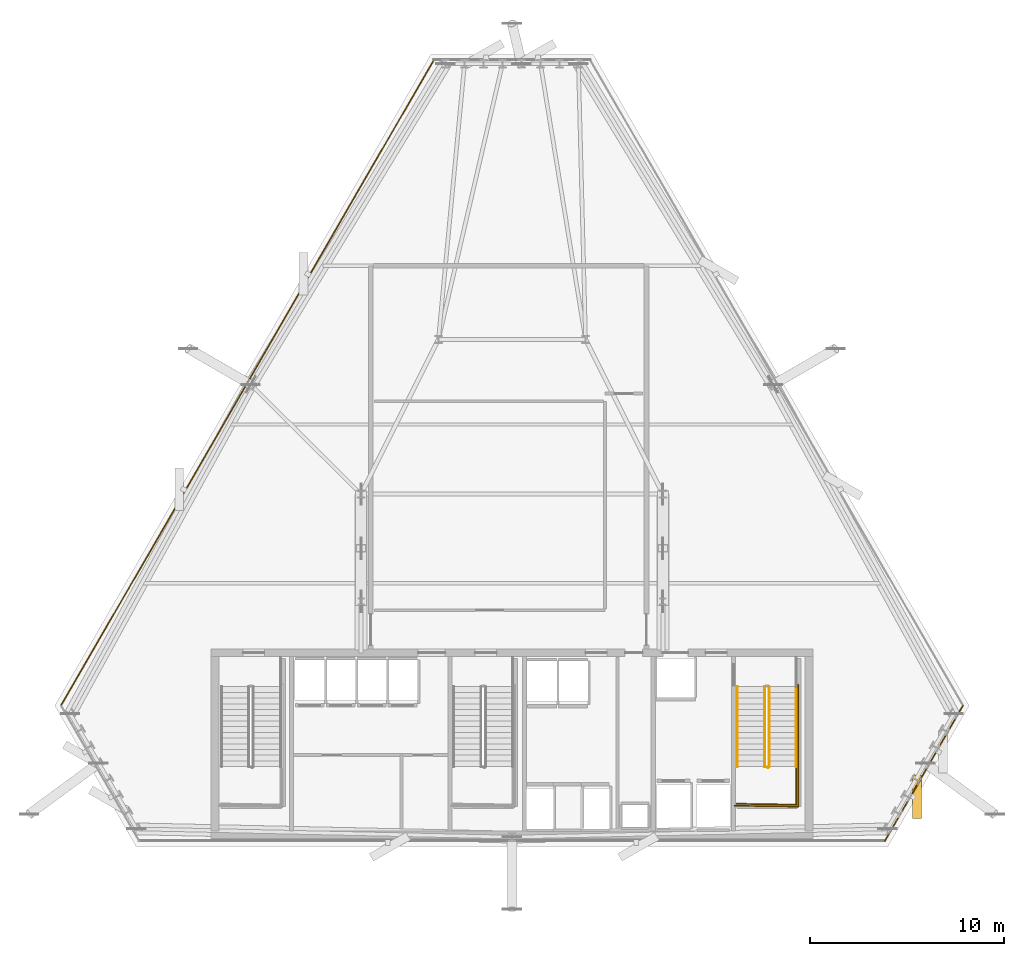
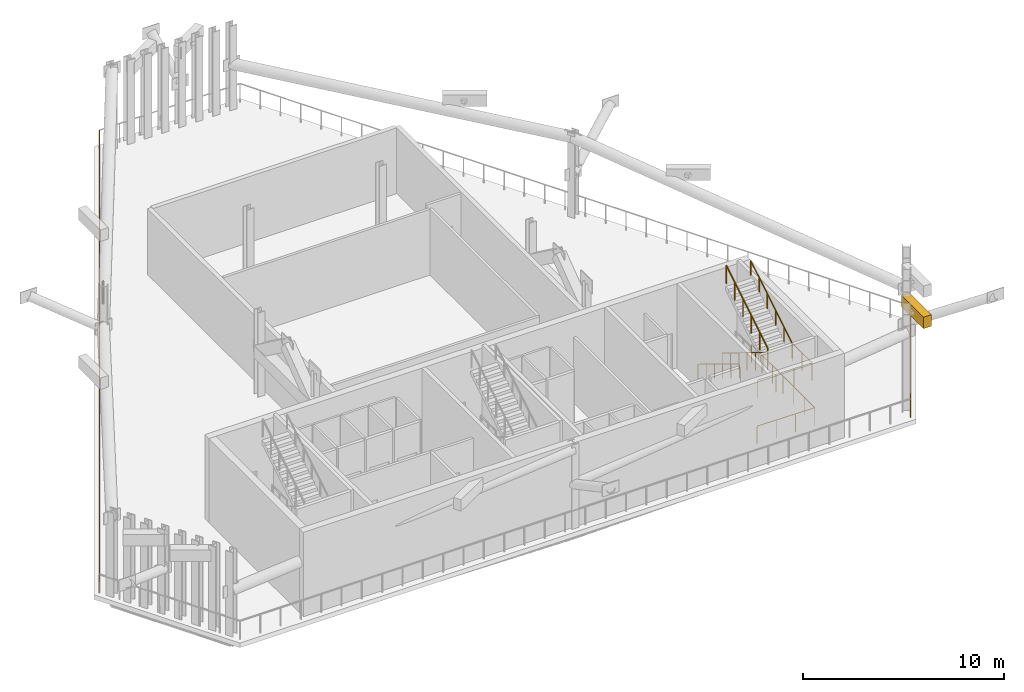
# One storey, part 9 of 11: 8 railings, 1 shading device.
"""IFC4 building model written with IfcOpenShell, lengths in metres."""

from ifc_helpers import new_model, si_unit, direction, frame, origin, origin_2d, place, context, subcontext, project, spatial, rectangle, circle, extrude, material, layer, layer_set, type_object, element, save


model = new_model("IFC4")

# Units and contexts
model_context = context("Model", 3, precision=1e-05, world=origin(), true_north=direction((0.0, 1.0)))
body_context = subcontext(model_context, "Body", "Model", "MODEL_VIEW")
ifc_project = project(units=[si_unit("LENGTHUNIT", "METRE"), si_unit("AREAUNIT", "SQUARE_METRE"), si_unit("VOLUMEUNIT", "CUBIC_METRE"), si_unit("PLANEANGLEUNIT", "RADIAN"), si_unit("MASSUNIT", "GRAM", prefix="KILO")], contexts=[model_context])

# Site, building, storey
site_placement = place(None, origin())
site = spatial("IfcSite", under=ifc_project, at=site_placement, CompositionType="ELEMENT")
building_placement = place(site_placement, origin())
building = spatial("IfcBuilding", under=site, at=building_placement, Name="Ndaravel Arena Tower", CompositionType="ELEMENT")
storey_placement = place(building_placement, frame((0.0, 0.0, 203.0)))
storey = spatial("IfcBuildingStorey", under=building, at=storey_placement, Name="L49", CompositionType="ELEMENT", Elevation=203.0)

# Railings
ifc_material_1 = material(Name="Steel S355", Category="steel")
ifc_layer_1 = layer(ifc_material_1, 0.06005859375)
ifc_layer_set_1 = layer_set([ifc_layer_1], Name="Steel S355")
railing_type_1 = type_object("IfcRailingType", Name="RAIL-STAIR-GD1100", PredefinedType="GUARDRAIL", material=ifc_layer_set_1)
railing_1_placement = place(storey_placement, frame((55.050048828125, 13.25, 0.179931640625)))
element("IfcRailing", 1, at=railing_1_placement, inside=storey, type_object=railing_type_1, Name="L49 ST-3 stair guard 1", PredefinedType="GUARDRAIL", context=body_context, shape_type="SweptSolid", body=[
    extrude(circle(Radius=0.02392578125, at=origin_2d()), frame((0.0, 0.0, 1.076171875), z_axis=(0.0, -0.853630913754, 0.520878357281), x_axis=(1.0, 0.0, 0.0)), (0.0, 0.0, 1.0), 4.838134765625),
    extrude(circle(Radius=0.02392578125, at=origin_2d()), frame((0.0, -4.1298828125, 3.59619140625), z_axis=(0.966993988697, -0.254799187253, 0.0), x_axis=(0.254799187253, 0.966993988697, 0.0)), (0.0, 0.0, 1.0), 0.196533203125),
    extrude(circle(Radius=0.02099609375, at=origin_2d()), origin(), (0.0, 0.0, 1.0), 1.052001953125),
    extrude(circle(Radius=0.02099609375, at=origin_2d()), frame((0.0, -0.825927734375, 0.50390625)), (0.0, 0.0, 1.0), 1.052001953125),
    extrude(circle(Radius=0.02099609375, at=origin_2d()), frame((0.0, -1.65185546875, 1.008056640625)), (0.0, 0.0, 1.0), 1.052001953125),
    extrude(circle(Radius=0.02099609375, at=origin_2d()), frame((0.0, -2.47802734375, 1.511962890625)), (0.0, 0.0, 1.0), 1.052001953125),
    extrude(circle(Radius=0.02099609375, at=origin_2d()), frame((0.0, -3.303955078125, 2.01611328125)), (0.0, 0.0, 1.0), 1.052001953125),
    extrude(circle(Radius=0.02099609375, at=origin_2d()), frame((0.0, -4.1298828125, 2.52001953125)), (0.0, 0.0, 1.0), 1.052001953125),
    extrude(circle(Radius=0.02099609375, at=origin_2d()), frame((0.18994140625, -4.179931640625, 2.52001953125)), (0.0, 0.0, 1.0), 1.052001953125),
])
railing_2_placement = place(storey_placement, frame((56.68994140625, 9.1201171875, 2.699951171875)))
element("IfcRailing", 2, at=railing_2_placement, inside=storey, type_object=railing_type_1, Name="L49 ST-3 stair guard 2", PredefinedType="GUARDRAIL", context=body_context, shape_type="SweptSolid", body=[
    extrude(circle(Radius=0.02392578125, at=origin_2d()), frame((0.0, 0.0, 1.076171875), z_axis=(0.0, -1.0, 0.0), x_axis=(1.0, 0.0, 0.0)), (0.0, 0.0, 1.0), 1.97021484375),
    extrude(circle(Radius=0.02392578125, at=origin_2d()), frame((0.0, -1.97021484375, 1.076171875), z_axis=(-0.999868840623, 0.016195726322, 0.0), x_axis=(-0.016195726322, -0.999868840623, 0.0)), (0.0, 0.0, 1.0), 3.09033203125),
    extrude(circle(Radius=0.02099609375, at=origin_2d()), origin(), (0.0, 0.0, 1.0), 1.052001953125),
    extrude(circle(Radius=0.02099609375, at=origin_2d()), frame((0.0, -0.985107421875, 0.0)), (0.0, 0.0, 1.0), 1.052001953125),
    extrude(circle(Radius=0.02099609375, at=origin_2d()), frame((0.0, -1.97021484375, 0.0)), (0.0, 0.0, 1.0), 1.052001953125),
    extrude(circle(Radius=0.02099609375, at=origin_2d()), frame((-1.030029296875, -1.95361328125, 0.0)), (0.0, 0.0, 1.0), 1.052001953125),
    extrude(circle(Radius=0.02099609375, at=origin_2d()), frame((-2.059814453125, -1.936767578125, 0.0)), (0.0, 0.0, 1.0), 1.052001953125),
    extrude(circle(Radius=0.02099609375, at=origin_2d()), frame((-3.08984375, -1.920166015625, 0.0)), (0.0, 0.0, 1.0), 1.052001953125),
])
railing_3_placement = place(storey_placement, frame((55.2900390625, 9.1201171875, 2.8798828125)))
element("IfcRailing", 3, at=railing_3_placement, inside=storey, type_object=railing_type_1, Name="L49 ST-3 stair guard 3", PredefinedType="GUARDRAIL", context=body_context, shape_type="SweptSolid", body=[
    extrude(circle(Radius=0.02392578125, at=origin_2d()), frame((0.0, 0.0, 1.076171875), z_axis=(0.0, 0.853630913754, 0.520878357281), x_axis=(-1.0, 0.0, 0.0)), (0.0, 0.0, 1.0), 4.838134765625),
    extrude(circle(Radius=0.02099609375, at=origin_2d()), origin(), (0.0, 0.0, 1.0), 1.052001953125),
    extrude(circle(Radius=0.02099609375, at=origin_2d()), frame((0.0, 0.825927734375, 0.50390625)), (0.0, 0.0, 1.0), 1.052001953125),
    extrude(circle(Radius=0.02099609375, at=origin_2d()), frame((0.0, 1.65185546875, 1.008056640625)), (0.0, 0.0, 1.0), 1.052001953125),
    extrude(circle(Radius=0.02099609375, at=origin_2d()), frame((0.0, 2.47802734375, 1.511962890625)), (0.0, 0.0, 1.0), 1.052001953125),
    extrude(circle(Radius=0.02099609375, at=origin_2d()), frame((0.0, 3.303955078125, 2.01611328125)), (0.0, 0.0, 1.0), 1.052001953125),
    extrude(circle(Radius=0.02099609375, at=origin_2d()), frame((0.0, 4.1298828125, 2.52001953125)), (0.0, 0.0, 1.0), 1.052001953125),
])
railing_4_placement = place(storey_placement, frame((56.7900390625, 13.35009765625, 0.0)))
element("IfcRailing", 4, at=railing_4_placement, inside=storey, type_object=railing_type_1, Name="L49 ST-3 stair guard 6", PredefinedType="GUARDRAIL", context=body_context, shape_type="SweptSolid", body=[
    extrude(circle(Radius=0.02392578125, at=origin_2d()), frame((0.0, 0.0, 1.076171875), z_axis=(0.0, -1.0, 0.0), x_axis=(1.0, 0.0, 0.0)), (0.0, 0.0, 1.0), 6.300048828125),
    extrude(circle(Radius=0.02392578125, at=origin_2d()), frame((0.0, -6.300048828125, 1.076171875), z_axis=(-0.99988431412, 0.015210469308, 0.0), x_axis=(-0.015210469308, -0.99988431412, 0.0)), (0.0, 0.0, 1.0), 3.29052734375),
    extrude(circle(Radius=0.02099609375, at=origin_2d()), origin(), (0.0, 0.0, 1.0), 1.052001953125),
    extrude(circle(Radius=0.02099609375, at=origin_2d()), frame((0.0, -1.050048828125, 0.0)), (0.0, 0.0, 1.0), 1.052001953125),
    extrude(circle(Radius=0.02099609375, at=origin_2d()), frame((0.0, -2.10009765625, 0.0)), (0.0, 0.0, 1.0), 1.052001953125),
    extrude(circle(Radius=0.02099609375, at=origin_2d()), frame((0.0, -3.14990234375, 0.0)), (0.0, 0.0, 1.0), 1.052001953125),
    extrude(circle(Radius=0.02099609375, at=origin_2d()), frame((0.0, -4.199951171875, 0.0)), (0.0, 0.0, 1.0), 1.052001953125),
    extrude(circle(Radius=0.02099609375, at=origin_2d()), frame((0.0, -5.25, 0.0)), (0.0, 0.0, 1.0), 1.052001953125),
    extrude(circle(Radius=0.02099609375, at=origin_2d()), frame((0.0, -6.300048828125, 0.0)), (0.0, 0.0, 1.0), 1.052001953125),
    extrude(circle(Radius=0.02099609375, at=origin_2d()), frame((-1.0966796875, -6.283447265625, 0.0)), (0.0, 0.0, 1.0), 1.052001953125),
    extrude(circle(Radius=0.02099609375, at=origin_2d()), frame((-2.193359375, -6.2666015625, 0.0)), (0.0, 0.0, 1.0), 1.052001953125),
    extrude(circle(Radius=0.02099609375, at=origin_2d()), frame((-3.2900390625, -6.25, 0.0)), (0.0, 0.0, 1.0), 1.052001953125),
])
ifc_material_2 = material(Name="Steel S355", Category="steel")
ifc_layer_2 = layer(ifc_material_2, 0.050048828125)
ifc_layer_set_2 = layer_set([ifc_layer_2], Name="Steel S355")
railing_type_2 = type_object("IfcRailingType", Name="RAIL-STAIR-HR920", PredefinedType="HANDRAIL", material=ifc_layer_set_2)
railing_5_placement = place(storey_placement, frame((53.64990234375, 13.25, 0.179931640625)))
element("IfcRailing", 5, at=railing_5_placement, inside=storey, type_object=railing_type_2, Name="L49 ST-3 stair handrail 1", PredefinedType="HANDRAIL", context=body_context, shape_type="SweptSolid", body=[
    extrude(circle(Radius=0.02392578125, at=origin_2d()), frame((0.0, 0.0, 0.8759765625), z_axis=(0.0, -0.853630913754, 0.520878357281), x_axis=(1.0, 0.0, 0.0)), (0.0, 0.0, 1.0), 4.838134765625),
    extrude(circle(Radius=0.02099609375, at=origin_2d()), origin(), (0.0, 0.0, 1.0), 0.851806640625),
    extrude(circle(Radius=0.02099609375, at=origin_2d()), frame((0.0, -0.825927734375, 0.50390625)), (0.0, 0.0, 1.0), 0.851806640625),
    extrude(circle(Radius=0.02099609375, at=origin_2d()), frame((0.0, -1.65185546875, 1.008056640625)), (0.0, 0.0, 1.0), 0.851806640625),
    extrude(circle(Radius=0.02099609375, at=origin_2d()), frame((0.0, -2.47802734375, 1.511962890625)), (0.0, 0.0, 1.0), 0.851806640625),
    extrude(circle(Radius=0.02099609375, at=origin_2d()), frame((0.0, -3.303955078125, 2.01611328125)), (0.0, 0.0, 1.0), 0.851806640625),
    extrude(circle(Radius=0.02099609375, at=origin_2d()), frame((0.0, -4.1298828125, 2.52001953125)), (0.0, 0.0, 1.0), 0.851806640625),
])
railing_6_placement = place(storey_placement, frame((56.68994140625, 9.1201171875, 2.8798828125)))
element("IfcRailing", 6, at=railing_6_placement, inside=storey, type_object=railing_type_2, Name="L49 ST-3 stair handrail 2", PredefinedType="HANDRAIL", context=body_context, shape_type="SweptSolid", body=[
    extrude(circle(Radius=0.02392578125, at=origin_2d()), frame((0.0, 0.0, 0.8759765625), z_axis=(0.0, 0.853630913754, 0.520878357281), x_axis=(-1.0, 0.0, 0.0)), (0.0, 0.0, 1.0), 4.838134765625),
    extrude(circle(Radius=0.02099609375, at=origin_2d()), origin(), (0.0, 0.0, 1.0), 0.851806640625),
    extrude(circle(Radius=0.02099609375, at=origin_2d()), frame((0.0, 0.825927734375, 0.50390625)), (0.0, 0.0, 1.0), 0.851806640625),
    extrude(circle(Radius=0.02099609375, at=origin_2d()), frame((0.0, 1.65185546875, 1.008056640625)), (0.0, 0.0, 1.0), 0.851806640625),
    extrude(circle(Radius=0.02099609375, at=origin_2d()), frame((0.0, 2.47802734375, 1.511962890625)), (0.0, 0.0, 1.0), 0.851806640625),
    extrude(circle(Radius=0.02099609375, at=origin_2d()), frame((0.0, 3.303955078125, 2.01611328125)), (0.0, 0.0, 1.0), 0.851806640625),
    extrude(circle(Radius=0.02099609375, at=origin_2d()), frame((0.0, 4.1298828125, 2.52001953125)), (0.0, 0.0, 1.0), 0.851806640625),
])
ifc_material_3 = material(Name="Glazing", Category="glass")
ifc_layer_3 = layer(ifc_material_3, 0.070068359375)
ifc_layer_set_3 = layer_set([ifc_layer_3], Name="Glazing")
railing_type_3 = type_object("IfcRailingType", Name="RAIL-TERRACE-1150", PredefinedType="BALUSTRADE", material=ifc_layer_set_3)
railing_7_placement = place(storey_placement, frame((61.267333984375, 5.280029296875, 0.0)))
element("IfcRailing", 7, at=railing_7_placement, inside=storey, type_object=railing_type_3, Name="L49 Open Wind Floor Perimeter Guard 2", PredefinedType="BALUSTRADE", context=body_context, shape_type="SweptSolid", body=[
    extrude(circle(Radius=0.02392578125, at=origin_2d()), frame((0.0, 0.0, 1.1259765625), z_axis=(0.500012100153, 0.866018417645, 0.0), x_axis=(-0.866018417645, 0.500012100153, 0.0)), (0.0, 0.0, 1.0), 8.074462890625),
    extrude(circle(Radius=0.02099609375, at=origin_2d()), origin(), (0.0, 0.0, 1.0), 1.101806640625),
    extrude(circle(Radius=0.02099609375, at=origin_2d()), frame((0.57666015625, 0.9990234375, 0.0)), (0.0, 0.0, 1.0), 1.101806640625),
    extrude(circle(Radius=0.02099609375, at=origin_2d()), frame((1.153564453125, 1.997802734375, 0.0)), (0.0, 0.0, 1.0), 1.101806640625),
    extrude(circle(Radius=0.02099609375, at=origin_2d()), frame((1.730224609375, 2.996826171875, 0.0)), (0.0, 0.0, 1.0), 1.101806640625),
    extrude(circle(Radius=0.02099609375, at=origin_2d()), frame((2.30712890625, 3.995849609375, 0.0)), (0.0, 0.0, 1.0), 1.101806640625),
    extrude(circle(Radius=0.02099609375, at=origin_2d()), frame((2.8837890625, 4.994873046875, 0.0)), (0.0, 0.0, 1.0), 1.101806640625),
    extrude(circle(Radius=0.02099609375, at=origin_2d()), frame((3.460693359375, 5.99365234375, 0.0)), (0.0, 0.0, 1.0), 1.101806640625),
    extrude(circle(Radius=0.02099609375, at=origin_2d()), frame((4.037353515625, 6.99267578125, 0.0)), (0.0, 0.0, 1.0), 1.101806640625),
])
railing_8_placement = place(storey_placement, frame((37.962890625, 45.644775390625, 0.0)))
element("IfcRailing", 8, at=railing_8_placement, inside=storey, type_object=railing_type_3, Name="L49 Open Wind Floor Perimeter Guard 5", PredefinedType="BALUSTRADE", context=body_context, shape_type="SweptSolid", body=[
    extrude(circle(Radius=0.02392578125, at=origin_2d()), frame((0.0, 0.0, 1.1259765625), z_axis=(-0.500003977174, -0.86602310755, 0.0), x_axis=(0.86602310755, -0.500003977174, 0.0)), (0.0, 0.0, 1.0), 38.534912109375),
    extrude(circle(Radius=0.02099609375, at=origin_2d()), origin(), (0.0, 0.0, 1.0), 1.101806640625),
    extrude(circle(Radius=0.02099609375, at=origin_2d()), frame((-0.583984375, -1.01123046875, 0.0)), (0.0, 0.0, 1.0), 1.101806640625),
    extrude(circle(Radius=0.02099609375, at=origin_2d()), frame((-1.167724609375, -2.0224609375, 0.0)), (0.0, 0.0, 1.0), 1.101806640625),
    extrude(circle(Radius=0.02099609375, at=origin_2d()), frame((-1.751708984375, -3.033935546875, 0.0)), (0.0, 0.0, 1.0), 1.101806640625),
    extrude(circle(Radius=0.02099609375, at=origin_2d()), frame((-2.33544921875, -4.045166015625, 0.0)), (0.0, 0.0, 1.0), 1.101806640625),
    extrude(circle(Radius=0.02099609375, at=origin_2d()), frame((-2.91943359375, -5.056396484375, 0.0)), (0.0, 0.0, 1.0), 1.101806640625),
    extrude(circle(Radius=0.02099609375, at=origin_2d()), frame((-3.503173828125, -6.067626953125, 0.0)), (0.0, 0.0, 1.0), 1.101806640625),
    extrude(circle(Radius=0.02099609375, at=origin_2d()), frame((-4.087158203125, -7.078857421875, 0.0)), (0.0, 0.0, 1.0), 1.101806640625),
    extrude(circle(Radius=0.02099609375, at=origin_2d()), frame((-4.6708984375, -8.090087890625, 0.0)), (0.0, 0.0, 1.0), 1.101806640625),
    extrude(circle(Radius=0.02099609375, at=origin_2d()), frame((-5.2548828125, -9.1015625, 0.0)), (0.0, 0.0, 1.0), 1.101806640625),
    extrude(circle(Radius=0.02099609375, at=origin_2d()), frame((-5.838623046875, -10.11279296875, 0.0)), (0.0, 0.0, 1.0), 1.101806640625),
    extrude(circle(Radius=0.02099609375, at=origin_2d()), frame((-6.422607421875, -11.1240234375, 0.0)), (0.0, 0.0, 1.0), 1.101806640625),
    extrude(circle(Radius=0.02099609375, at=origin_2d()), frame((-7.00634765625, -12.13525390625, 0.0)), (0.0, 0.0, 1.0), 1.101806640625),
    extrude(circle(Radius=0.02099609375, at=origin_2d()), frame((-7.59033203125, -13.146484375, 0.0)), (0.0, 0.0, 1.0), 1.101806640625),
    extrude(circle(Radius=0.02099609375, at=origin_2d()), frame((-8.174072265625, -14.157958984375, 0.0)), (0.0, 0.0, 1.0), 1.101806640625),
    extrude(circle(Radius=0.02099609375, at=origin_2d()), frame((-8.758056640625, -15.169189453125, 0.0)), (0.0, 0.0, 1.0), 1.101806640625),
    extrude(circle(Radius=0.02099609375, at=origin_2d()), frame((-9.341796875, -16.180419921875, 0.0)), (0.0, 0.0, 1.0), 1.101806640625),
    extrude(circle(Radius=0.02099609375, at=origin_2d()), frame((-9.92578125, -17.191650390625, 0.0)), (0.0, 0.0, 1.0), 1.101806640625),
    extrude(circle(Radius=0.02099609375, at=origin_2d()), frame((-10.509521484375, -18.202880859375, 0.0)), (0.0, 0.0, 1.0), 1.101806640625),
    extrude(circle(Radius=0.02099609375, at=origin_2d()), frame((-11.093505859375, -19.214111328125, 0.0)), (0.0, 0.0, 1.0), 1.101806640625),
    extrude(circle(Radius=0.02099609375, at=origin_2d()), frame((-11.67724609375, -20.2255859375, 0.0)), (0.0, 0.0, 1.0), 1.101806640625),
    extrude(circle(Radius=0.02099609375, at=origin_2d()), frame((-12.26123046875, -21.23681640625, 0.0)), (0.0, 0.0, 1.0), 1.101806640625),
    extrude(circle(Radius=0.02099609375, at=origin_2d()), frame((-12.844970703125, -22.248046875, 0.0)), (0.0, 0.0, 1.0), 1.101806640625),
    extrude(circle(Radius=0.02099609375, at=origin_2d()), frame((-13.428955078125, -23.25927734375, 0.0)), (0.0, 0.0, 1.0), 1.101806640625),
    extrude(circle(Radius=0.02099609375, at=origin_2d()), frame((-14.0126953125, -24.2705078125, 0.0)), (0.0, 0.0, 1.0), 1.101806640625),
    extrude(circle(Radius=0.02099609375, at=origin_2d()), frame((-14.5966796875, -25.281982421875, 0.0)), (0.0, 0.0, 1.0), 1.101806640625),
    extrude(circle(Radius=0.02099609375, at=origin_2d()), frame((-15.180419921875, -26.293212890625, 0.0)), (0.0, 0.0, 1.0), 1.101806640625),
    extrude(circle(Radius=0.02099609375, at=origin_2d()), frame((-15.764404296875, -27.304443359375, 0.0)), (0.0, 0.0, 1.0), 1.101806640625),
    extrude(circle(Radius=0.02099609375, at=origin_2d()), frame((-16.34814453125, -28.315673828125, 0.0)), (0.0, 0.0, 1.0), 1.101806640625),
    extrude(circle(Radius=0.02099609375, at=origin_2d()), frame((-16.93212890625, -29.326904296875, 0.0)), (0.0, 0.0, 1.0), 1.101806640625),
    extrude(circle(Radius=0.02099609375, at=origin_2d()), frame((-17.515869140625, -30.338134765625, 0.0)), (0.0, 0.0, 1.0), 1.101806640625),
    extrude(circle(Radius=0.02099609375, at=origin_2d()), frame((-18.099853515625, -31.349609375, 0.0)), (0.0, 0.0, 1.0), 1.101806640625),
    extrude(circle(Radius=0.02099609375, at=origin_2d()), frame((-18.68359375, -32.36083984375, 0.0)), (0.0, 0.0, 1.0), 1.101806640625),
    extrude(circle(Radius=0.02099609375, at=origin_2d()), frame((-19.267578125, -33.3720703125, 0.0)), (0.0, 0.0, 1.0), 1.101806640625),
])

# Shading device
ifc_material_4 = material(Name="Aluminium", Category="aluminium")
shading_device_type = type_object("IfcShadingDeviceType", Name="SHD-WIND-LOUVRE", PredefinedType="JALOUSIE", material=ifc_material_4)
shading_device_placement = place(storey_placement, frame((62.924072265625, 7.55078125, 4.169921875), z_axis=(0.0, 0.0, 1.0), x_axis=(1.0, 0.0, 0.0)))
element("IfcShadingDevice", 9, at=shading_device_placement, inside=storey, type_object=shading_device_type, Name="L49 Wind-Floor Acoustic Louvre 2.1", PredefinedType="JALOUSIE", context=body_context, shape_type="SweptSolid", body=[
    extrude(rectangle(XDim=0.449951171875, YDim=2.199951171875, at=origin_2d()), origin(), (0.0, 0.0, 1.0), 0.699951171875),
])

save(model, "model.ifc")
